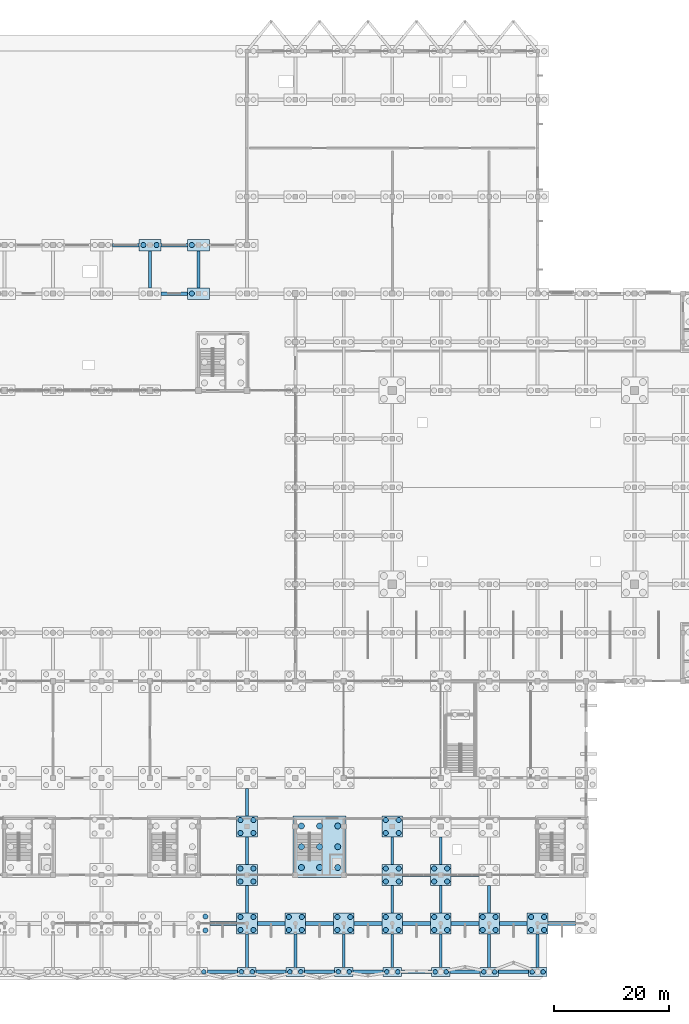
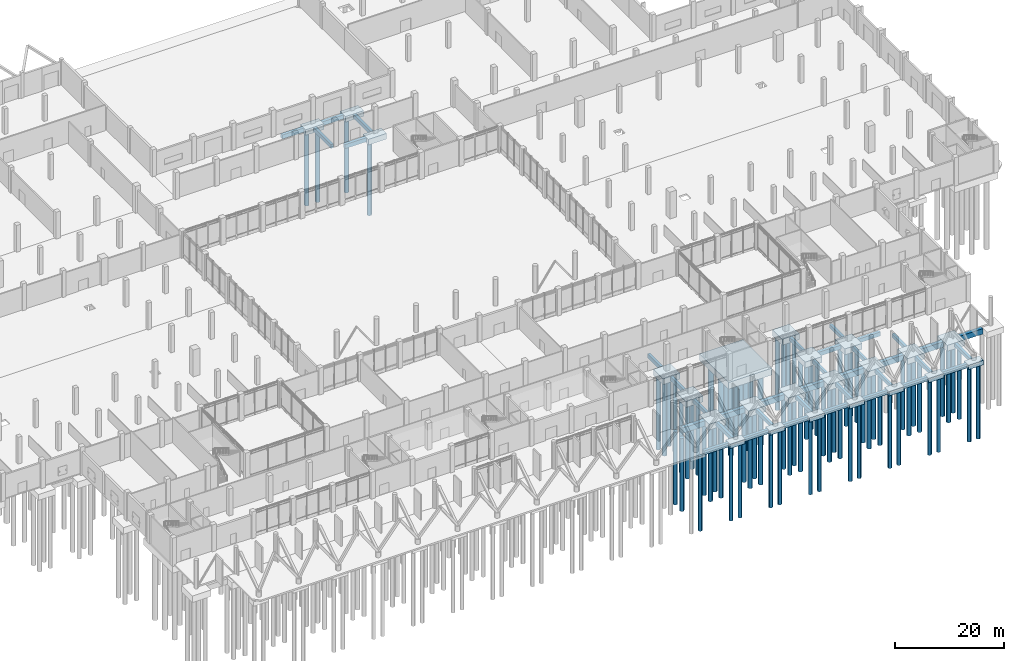
# One storey, part 7 of 72: 78 piles, 60 footings.
"""IFC4 building model written with IfcOpenShell, lengths in metres."""

from ifc_helpers import new_model, si_unit, direction, frame, origin, origin_2d, place, context, subcontext, project, spatial, rectangle, circle, extrude, material, layer, layer_set, material_profile, profile_set, type_object, element, save


model = new_model("IFC4")

# Units and contexts
model_context = context("Model", 3, precision=1e-05, world=origin(), true_north=direction((0.0, 1.0)))
body_context = subcontext(model_context, "Body", "Model", "MODEL_VIEW")
ifc_project = project(units=[si_unit("LENGTHUNIT", "METRE"), si_unit("AREAUNIT", "SQUARE_METRE"), si_unit("VOLUMEUNIT", "CUBIC_METRE"), si_unit("PLANEANGLEUNIT", "RADIAN"), si_unit("MASSUNIT", "GRAM", prefix="KILO")], contexts=[model_context])

# Site, building, storey
site_placement = place(None, origin())
site = spatial("IfcSite", under=ifc_project, at=site_placement, CompositionType="ELEMENT")
building_placement = place(site_placement, origin())
building = spatial("IfcBuilding", under=site, at=building_placement, Name="Qawsi Khor Wholesale Market", CompositionType="ELEMENT")
storey_placement = place(building_placement, origin())
storey = spatial("IfcBuildingStorey", under=building, at=storey_placement, Name="L00", CompositionType="ELEMENT", Elevation=0.0)

# Piles
ifc_material = material(Name="Concrete C45/55", Category="concrete")
ifc_material_profile_1 = material_profile(ifc_material, circle(Radius=0.52490234375, at=origin_2d()), Name="PILE D1050")
ifc_profile_set_1 = profile_set([ifc_material_profile_1], Name="Concrete C45/55")
pile_type_1 = type_object("IfcPileType", Name="Bored Pile D1050 C45/55", PredefinedType="BORED", material=ifc_profile_set_1)
for number, where, z_axis, x_axis, name in (
    (1, (143.85009765625, 9.699951171875, -1.800048828125), (0.0, 0.0, -1.0), (1.0, 0.0, 0.0), "Core bored pile C05-01"),
    (2, (143.85009765625, 13.300048828125, -1.800048828125), (0.0, 0.0, -1.0), (1.0, 0.0, 0.0), "Core bored pile C05-02"),
    (3, (143.85009765625, 16.89990234375, -1.800048828125), (0.0, 0.0, -1.0), (1.0, 0.0, 0.0), "Core bored pile C05-03"),
    (4, (147.0, 9.699951171875, -1.800048828125), (0.0, 0.0, -1.0), (1.0, 0.0, 0.0), "Core bored pile C05-04"),
    (5, (147.0, 13.300048828125, -1.800048828125), (0.0, 0.0, -1.0), (1.0, 0.0, 0.0), "Core bored pile C05-05"),
    (6, (147.0, 16.89990234375, -1.800048828125), (0.0, 0.0, -1.0), (1.0, 0.0, 0.0), "Core bored pile C05-06"),
    (7, (150.14990234375, 9.699951171875, -1.800048828125), (0.0, 0.0, -1.0), (1.0, 0.0, 0.0), "Core bored pile C05-07"),
    (8, (150.14990234375, 13.300048828125, -1.800048828125), (0.0, 0.0, -1.0), (1.0, 0.0, 0.0), "Core bored pile C05-08"),
    (9, (150.14990234375, 16.89990234375, -1.800048828125), (0.0, 0.0, -1.0), (1.0, 0.0, 0.0), "Core bored pile C05-09"),
):
    element("IfcPile", number, at=place(storey_placement, frame(where, z_axis=z_axis, x_axis=x_axis)), inside=storey, type_object=pile_type_1, Name=name, PredefinedType="BORED", context=body_context, shape_type="SweptSolid", body=[
        extrude(circle(Radius=0.52490234375, at=origin_2d()), origin(), (0.0, 0.0, 1.0), 16.199951171875),
    ])
ifc_material_profile_2 = material_profile(ifc_material, circle(Radius=0.39990234375, at=origin_2d()), Name="PILE D800")
ifc_profile_set_2 = profile_set([ifc_material_profile_2], Name="Concrete C45/55")
pile_type_2 = type_object("IfcPileType", Name="Bored Pile D800 C45/55", PredefinedType="BORED", material=ifc_profile_set_2)
for number, where, z_axis, x_axis, name in (
    (10, (126.949951171875, -8.39990234375, -1.2900390625), (0.0, 0.0, -1.0), (1.0, 0.0, 0.0), "Canopy pile 15_-01-2"),
    (11, (133.449951171875, -8.39990234375, -1.2900390625), (0.0, 0.0, -1.0), (1.0, 0.0, 0.0), "Canopy pile 16_-01-1"),
    (12, (135.35009765625, -8.39990234375, -1.2900390625), (0.0, 0.0, -1.0), (1.0, 0.0, 0.0), "Canopy pile 16_-01-2"),
    (13, (141.85009765625, -8.39990234375, -1.2900390625), (0.0, 0.0, -1.0), (1.0, 0.0, 0.0), "Canopy pile 17_-01-1"),
    (14, (143.75, -8.39990234375, -1.2900390625), (0.0, 0.0, -1.0), (1.0, 0.0, 0.0), "Canopy pile 17_-01-2"),
    (15, (150.25, -8.39990234375, -1.2900390625), (0.0, 0.0, -1.0), (1.0, 0.0, 0.0), "Canopy pile 18_-01-1"),
    (16, (152.14990234375, -8.39990234375, -1.2900390625), (0.0, 0.0, -1.0), (1.0, 0.0, 0.0), "Canopy pile 18_-01-2"),
    (17, (158.64990234375, -8.39990234375, -1.2900390625), (0.0, 0.0, -1.0), (1.0, 0.0, 0.0), "Canopy pile 19_-01-1"),
    (18, (160.550048828125, -8.39990234375, -1.2900390625), (0.0, 0.0, -1.0), (1.0, 0.0, 0.0), "Canopy pile 19_-01-2"),
    (19, (167.050048828125, -8.39990234375, -1.2900390625), (0.0, 0.0, -1.0), (1.0, 0.0, 0.0), "Canopy pile 20_-01-1"),
    (20, (168.949951171875, -8.39990234375, -1.2900390625), (0.0, 0.0, -1.0), (1.0, 0.0, 0.0), "Canopy pile 20_-01-2"),
    (21, (175.449951171875, -8.39990234375, -1.2900390625), (0.0, 0.0, -1.0), (1.0, 0.0, 0.0), "Canopy pile 21_-01-1"),
    (22, (177.35009765625, -8.39990234375, -1.2900390625), (0.0, 0.0, -1.0), (1.0, 0.0, 0.0), "Canopy pile 21_-01-2"),
    (23, (183.85009765625, -8.39990234375, -1.2900390625), (0.0, 0.0, -1.0), (1.0, 0.0, 0.0), "Canopy pile 22_-01-1"),
    (24, (185.75, -8.39990234375, -1.2900390625), (0.0, 0.0, -1.0), (1.0, 0.0, 0.0), "Canopy pile 22_-01-2"),
):
    element("IfcPile", number, at=place(storey_placement, frame(where, z_axis=z_axis, x_axis=x_axis)), inside=storey, type_object=pile_type_2, Name=name, PredefinedType="BORED", context=body_context, shape_type="SweptSolid", body=[
        extrude(circle(Radius=0.39990234375, at=origin_2d()), origin(), (0.0, 0.0, 1.0), 16.7099609375),
    ])
ifc_material_profile_3 = material_profile(ifc_material, circle(Radius=0.449951171875, at=origin_2d()), Name="PILE D900")
ifc_profile_set_3 = profile_set([ifc_material_profile_3], Name="Concrete C45/55")
pile_type_3 = type_object("IfcPileType", Name="Bored Pile D900 C45/55", PredefinedType="BORED", material=ifc_profile_set_3)
for number, where, z_axis, x_axis, name in (
    (25, (116.449951171875, 117.60009765625, -1.5), (0.0, 0.0, -1.0), (1.0, 0.0, 0.0), "Bored pile 14_+14-1"),
    (26, (118.75, 117.60009765625, -1.5), (0.0, 0.0, -1.0), (1.0, 0.0, 0.0), "Bored pile 14_+14-2"),
):
    element("IfcPile", number, at=place(storey_placement, frame(where, z_axis=z_axis, x_axis=x_axis)), inside=storey, type_object=pile_type_3, Name=name, PredefinedType="BORED", context=body_context, shape_type="SweptSolid", body=[
        extrude(circle(Radius=0.449951171875, at=origin_2d()), origin(), (0.0, 0.0, 1.0), 16.5),
    ])
for number, where, z_axis, x_axis, name in (
    (27, (127.199951171875, -1.199951171875, -1.72998046875), (0.0, 0.0, -1.0), (1.0, 0.0, 0.0), "Bored pile 15_+00-2"),
    (28, (127.199951171875, 1.199951171875, -1.72998046875), (0.0, 0.0, -1.0), (1.0, 0.0, 0.0), "Bored pile 15_+00-4"),
):
    element("IfcPile", number, at=place(storey_placement, frame(where, z_axis=z_axis, x_axis=x_axis)), inside=storey, type_object=pile_type_3, Name=name, PredefinedType="BORED", context=body_context, shape_type="SweptSolid", body=[
        extrude(circle(Radius=0.449951171875, at=origin_2d()), origin(), (0.0, 0.0, 1.0), 16.27001953125),
    ])
for number, where, z_axis, x_axis, name in (
    (29, (124.85009765625, 109.199951171875, -1.5), (0.0, 0.0, -1.0), (1.0, 0.0, 0.0), "Bored pile 15_+13-1"),
    (30, (124.85009765625, 117.60009765625, -1.5), (0.0, 0.0, -1.0), (1.0, 0.0, 0.0), "Bored pile 15_+14-1"),
):
    element("IfcPile", number, at=place(storey_placement, frame(where, z_axis=z_axis, x_axis=x_axis)), inside=storey, type_object=pile_type_3, Name=name, PredefinedType="BORED", context=body_context, shape_type="SweptSolid", body=[
        extrude(circle(Radius=0.449951171875, at=origin_2d()), origin(), (0.0, 0.0, 1.0), 16.5),
    ])
for number, where, z_axis, x_axis, name in (
    (31, (133.27490234375, -1.125, -1.610107421875), (0.0, 0.0, -1.0), (1.0, 0.0, 0.0), "Bored pile 16_+00-1"),
    (32, (135.52490234375, -1.125, -1.610107421875), (0.0, 0.0, -1.0), (1.0, 0.0, 0.0), "Bored pile 16_+00-2"),
    (33, (133.27490234375, 1.125, -1.610107421875), (0.0, 0.0, -1.0), (1.0, 0.0, 0.0), "Bored pile 16_+00-3"),
    (34, (135.52490234375, 1.125, -1.610107421875), (0.0, 0.0, -1.0), (1.0, 0.0, 0.0), "Bored pile 16_+00-4"),
    (35, (133.27490234375, 7.27490234375, -1.610107421875), (0.0, 0.0, -1.0), (1.0, 0.0, 0.0), "Bored pile 16_+01-1"),
    (36, (135.52490234375, 7.27490234375, -1.610107421875), (0.0, 0.0, -1.0), (1.0, 0.0, 0.0), "Bored pile 16_+01-2"),
    (37, (133.27490234375, 9.52490234375, -1.610107421875), (0.0, 0.0, -1.0), (1.0, 0.0, 0.0), "Bored pile 16_+01-3"),
    (38, (135.52490234375, 9.52490234375, -1.610107421875), (0.0, 0.0, -1.0), (1.0, 0.0, 0.0), "Bored pile 16_+01-4"),
    (39, (133.27490234375, 15.675048828125, -1.610107421875), (0.0, 0.0, -1.0), (1.0, 0.0, 0.0), "Bored pile 16_+02-1"),
    (40, (135.52490234375, 15.675048828125, -1.610107421875), (0.0, 0.0, -1.0), (1.0, 0.0, 0.0), "Bored pile 16_+02-2"),
    (41, (133.27490234375, 17.925048828125, -1.610107421875), (0.0, 0.0, -1.0), (1.0, 0.0, 0.0), "Bored pile 16_+02-3"),
    (42, (135.52490234375, 17.925048828125, -1.610107421875), (0.0, 0.0, -1.0), (1.0, 0.0, 0.0), "Bored pile 16_+02-4"),
    (43, (141.675048828125, -1.125, -1.610107421875), (0.0, 0.0, -1.0), (1.0, 0.0, 0.0), "Bored pile 17_+00-1"),
    (44, (143.925048828125, -1.125, -1.610107421875), (0.0, 0.0, -1.0), (1.0, 0.0, 0.0), "Bored pile 17_+00-2"),
    (45, (141.675048828125, 1.125, -1.610107421875), (0.0, 0.0, -1.0), (1.0, 0.0, 0.0), "Bored pile 17_+00-3"),
    (46, (143.925048828125, 1.125, -1.610107421875), (0.0, 0.0, -1.0), (1.0, 0.0, 0.0), "Bored pile 17_+00-4"),
    (47, (150.074951171875, -1.125, -1.610107421875), (0.0, 0.0, -1.0), (1.0, 0.0, 0.0), "Bored pile 18_+00-1"),
    (48, (152.324951171875, -1.125, -1.610107421875), (0.0, 0.0, -1.0), (1.0, 0.0, 0.0), "Bored pile 18_+00-2"),
    (49, (150.074951171875, 1.125, -1.610107421875), (0.0, 0.0, -1.0), (1.0, 0.0, 0.0), "Bored pile 18_+00-3"),
    (50, (152.324951171875, 1.125, -1.610107421875), (0.0, 0.0, -1.0), (1.0, 0.0, 0.0), "Bored pile 18_+00-4"),
    (51, (158.47509765625, -1.125, -1.610107421875), (0.0, 0.0, -1.0), (1.0, 0.0, 0.0), "Bored pile 19_+00-1"),
    (52, (160.72509765625, -1.125, -1.610107421875), (0.0, 0.0, -1.0), (1.0, 0.0, 0.0), "Bored pile 19_+00-2"),
    (53, (158.47509765625, 1.125, -1.610107421875), (0.0, 0.0, -1.0), (1.0, 0.0, 0.0), "Bored pile 19_+00-3"),
    (54, (160.72509765625, 1.125, -1.610107421875), (0.0, 0.0, -1.0), (1.0, 0.0, 0.0), "Bored pile 19_+00-4"),
    (55, (158.47509765625, 7.27490234375, -1.610107421875), (0.0, 0.0, -1.0), (1.0, 0.0, 0.0), "Bored pile 19_+01-1"),
    (56, (160.72509765625, 7.27490234375, -1.610107421875), (0.0, 0.0, -1.0), (1.0, 0.0, 0.0), "Bored pile 19_+01-2"),
    (57, (158.47509765625, 9.52490234375, -1.610107421875), (0.0, 0.0, -1.0), (1.0, 0.0, 0.0), "Bored pile 19_+01-3"),
    (58, (160.72509765625, 9.52490234375, -1.610107421875), (0.0, 0.0, -1.0), (1.0, 0.0, 0.0), "Bored pile 19_+01-4"),
    (59, (158.47509765625, 15.675048828125, -1.610107421875), (0.0, 0.0, -1.0), (1.0, 0.0, 0.0), "Bored pile 19_+02-1"),
    (60, (160.72509765625, 15.675048828125, -1.610107421875), (0.0, 0.0, -1.0), (1.0, 0.0, 0.0), "Bored pile 19_+02-2"),
    (61, (158.47509765625, 17.925048828125, -1.610107421875), (0.0, 0.0, -1.0), (1.0, 0.0, 0.0), "Bored pile 19_+02-3"),
    (62, (160.72509765625, 17.925048828125, -1.610107421875), (0.0, 0.0, -1.0), (1.0, 0.0, 0.0), "Bored pile 19_+02-4"),
    (63, (166.875, -1.125, -1.610107421875), (0.0, 0.0, -1.0), (1.0, 0.0, 0.0), "Bored pile 20_+00-1"),
    (64, (169.125, -1.125, -1.610107421875), (0.0, 0.0, -1.0), (1.0, 0.0, 0.0), "Bored pile 20_+00-2"),
    (65, (166.875, 1.125, -1.610107421875), (0.0, 0.0, -1.0), (1.0, 0.0, 0.0), "Bored pile 20_+00-3"),
    (66, (169.125, 1.125, -1.610107421875), (0.0, 0.0, -1.0), (1.0, 0.0, 0.0), "Bored pile 20_+00-4"),
    (67, (166.875, 7.27490234375, -1.610107421875), (0.0, 0.0, -1.0), (1.0, 0.0, 0.0), "Bored pile 20_+01-1"),
    (68, (169.125, 7.27490234375, -1.610107421875), (0.0, 0.0, -1.0), (1.0, 0.0, 0.0), "Bored pile 20_+01-2"),
    (69, (166.875, 9.52490234375, -1.610107421875), (0.0, 0.0, -1.0), (1.0, 0.0, 0.0), "Bored pile 20_+01-3"),
    (70, (169.125, 9.52490234375, -1.610107421875), (0.0, 0.0, -1.0), (1.0, 0.0, 0.0), "Bored pile 20_+01-4"),
    (71, (175.27490234375, -1.125, -1.610107421875), (0.0, 0.0, -1.0), (1.0, 0.0, 0.0), "Bored pile 21_+00-1"),
    (72, (177.52490234375, -1.125, -1.610107421875), (0.0, 0.0, -1.0), (1.0, 0.0, 0.0), "Bored pile 21_+00-2"),
    (73, (175.27490234375, 1.125, -1.610107421875), (0.0, 0.0, -1.0), (1.0, 0.0, 0.0), "Bored pile 21_+00-3"),
    (74, (177.52490234375, 1.125, -1.610107421875), (0.0, 0.0, -1.0), (1.0, 0.0, 0.0), "Bored pile 21_+00-4"),
    (75, (183.675048828125, -1.125, -1.610107421875), (0.0, 0.0, -1.0), (1.0, 0.0, 0.0), "Bored pile 22_+00-1"),
    (76, (185.925048828125, -1.125, -1.610107421875), (0.0, 0.0, -1.0), (1.0, 0.0, 0.0), "Bored pile 22_+00-2"),
    (77, (183.675048828125, 1.125, -1.610107421875), (0.0, 0.0, -1.0), (1.0, 0.0, 0.0), "Bored pile 22_+00-3"),
    (78, (185.925048828125, 1.125, -1.610107421875), (0.0, 0.0, -1.0), (1.0, 0.0, 0.0), "Bored pile 22_+00-4"),
):
    element("IfcPile", number, at=place(storey_placement, frame(where, z_axis=z_axis, x_axis=x_axis)), inside=storey, type_object=pile_type_3, Name=name, PredefinedType="BORED", context=body_context, shape_type="SweptSolid", body=[
        extrude(circle(Radius=0.449951171875, at=origin_2d()), origin(), (0.0, 0.0, 1.0), 16.389892578125),
    ])

# Footings
ifc_material_profile_4 = material_profile(ifc_material, rectangle(XDim=0.75, YDim=1.199951171875, at=origin_2d()), Name="RC 750x1200")
ifc_profile_set_4 = profile_set([ifc_material_profile_4], Name="Concrete C45/55")
footing_type_1 = type_object("IfcFootingType", Name="Boulevard Strip Footing SF 750x1200", PredefinedType="STRIP_FOOTING", material=ifc_profile_set_4)
footing_1_placement = place(storey_placement, frame((127.97509765625, 0.0, -0.989990234375), z_axis=(1.0, 0.0, 0.0), x_axis=(0.0, 1.0, 0.0)))
element("IfcFooting", 79, at=footing_1_placement, inside=storey, type_object=footing_type_1, Name="Ground tie-beam X 15-16 at Y=0.0", PredefinedType="STRIP_FOOTING", context=body_context, shape_type="SweptSolid", body=[
    extrude(rectangle(XDim=0.75, YDim=1.199951171875, at=origin_2d()), origin(), (0.0, 0.0, 1.0), 4.625),
])
footing_2_placement = place(storey_placement, frame((136.199951171875, 0.0, -0.989990234375), z_axis=(1.0, 0.0, 0.0), x_axis=(0.0, 1.0, 0.0)))
element("IfcFooting", 80, at=footing_2_placement, inside=storey, type_object=footing_type_1, Name="Ground tie-beam X 16-17 at Y=0.0", PredefinedType="STRIP_FOOTING", context=body_context, shape_type="SweptSolid", body=[
    extrude(rectangle(XDim=0.75, YDim=1.199951171875, at=origin_2d()), origin(), (0.0, 0.0, 1.0), 4.800048828125),
])
footing_3_placement = place(storey_placement, frame((144.60009765625, 0.0, -0.989990234375), z_axis=(1.0, 0.0, 0.0), x_axis=(0.0, 1.0, 0.0)))
element("IfcFooting", 81, at=footing_3_placement, inside=storey, type_object=footing_type_1, Name="Ground tie-beam X 17-18 at Y=0.0", PredefinedType="STRIP_FOOTING", context=body_context, shape_type="SweptSolid", body=[
    extrude(rectangle(XDim=0.75, YDim=1.199951171875, at=origin_2d()), origin(), (0.0, 0.0, 1.0), 4.7998046875),
])
for number, where, z_axis, x_axis, name in (
    (82, (153.0, 0.0, -0.989990234375), (1.0, 0.0, 0.0), (0.0, 1.0, 0.0), "Ground tie-beam X 18-19 at Y=0.0"),
    (83, (161.39990234375, 0.0, -0.989990234375), (1.0, 0.0, 0.0), (0.0, 1.0, 0.0), "Ground tie-beam X 19-20 at Y=0.0"),
    (84, (169.800048828125, 0.0, -0.989990234375), (1.0, 0.0, 0.0), (0.0, 1.0, 0.0), "Ground tie-beam X 20-21 at Y=0.0"),
    (85, (178.199951171875, 0.0, -0.989990234375), (1.0, 0.0, 0.0), (0.0, 1.0, 0.0), "Ground tie-beam X 21-22 at Y=0.0"),
):
    element("IfcFooting", number, at=place(storey_placement, frame(where, z_axis=z_axis, x_axis=x_axis)), inside=storey, type_object=footing_type_1, Name=name, PredefinedType="STRIP_FOOTING", context=body_context, shape_type="SweptSolid", body=[
        extrude(rectangle(XDim=0.75, YDim=1.199951171875, at=origin_2d()), origin(), (0.0, 0.0, 1.0), 4.800048828125),
    ])
footing_4_placement = place(storey_placement, frame((186.60009765625, 0.0, -0.989990234375), z_axis=(1.0, 0.0, 0.0), x_axis=(0.0, 1.0, 0.0)))
element("IfcFooting", 86, at=footing_4_placement, inside=storey, type_object=footing_type_1, Name="Ground tie-beam X 22-23 at Y=0.0", PredefinedType="STRIP_FOOTING", context=body_context, shape_type="SweptSolid", body=[
    extrude(rectangle(XDim=0.75, YDim=1.199951171875, at=origin_2d()), origin(), (0.0, 0.0, 1.0), 4.7998046875),
])
ifc_layer_1 = layer(ifc_material, 1.52001953125, Name="Concrete C45/55")
ifc_layer_set_1 = layer_set([ifc_layer_1], Name="Concrete C45/55")
footing_type_2 = type_object("IfcFootingType", Name="Core Pile Raft CR-9P 9200x10600x1520", PredefinedType="PILE_CAP", material=ifc_layer_set_1)
footing_5_placement = place(storey_placement, frame((147.0, 13.300048828125, -1.880126953125), z_axis=(0.0, 0.0, 1.0), x_axis=(1.0, 0.0, 0.0)))
element("IfcFooting", 87, at=footing_5_placement, inside=storey, type_object=footing_type_2, Name="Core pile raft C05", PredefinedType="PILE_CAP", context=body_context, shape_type="SweptSolid", body=[
    extrude(rectangle(XDim=9.199951171875, YDim=10.60009765625, at=origin_2d()), origin(), (0.0, 0.0, 1.0), 1.52001953125),
])
ifc_material_profile_5 = material_profile(ifc_material, rectangle(XDim=0.60009765625, YDim=0.89990234375, at=origin_2d()), Name="RC 600x900")
ifc_profile_set_5 = profile_set([ifc_material_profile_5], Name="Concrete C45/55")
footing_type_3 = type_object("IfcFootingType", Name="Ground Tie-Beam GTB 600x900", PredefinedType="FOOTING_BEAM", material=ifc_profile_set_5)
for number, where, z_axis, x_axis, name in (
    (88, (111.125, 117.60009765625, -0.840087890625), (1.0, 0.0, 0.0), (0.0, 1.0, 0.0), "Ground tie-beam X 13-14 at Y=117.6"),
    (89, (119.52490234375, 109.199951171875, -0.840087890625), (1.0, 0.0, 0.0), (0.0, 1.0, 0.0), "Ground tie-beam X 14-15 at Y=109.2"),
    (90, (119.52490234375, 117.60009765625, -0.840087890625), (1.0, 0.0, 0.0), (0.0, 1.0, 0.0), "Ground tie-beam X 14-15 at Y=117.6"),
):
    element("IfcFooting", number, at=place(storey_placement, frame(where, z_axis=z_axis, x_axis=x_axis)), inside=storey, type_object=footing_type_3, Name=name, PredefinedType="FOOTING_BEAM", context=body_context, shape_type="SweptSolid", body=[
        extrude(rectangle(XDim=0.60009765625, YDim=0.89990234375, at=origin_2d()), origin(), (0.0, 0.0, 1.0), 4.550048828125),
    ])
for number, where, z_axis, x_axis, name in (
    (91, (127.60009765625, -8.39990234375, -0.840087890625), (1.0, 0.0, 0.0), (0.0, 1.0, 0.0), "Ground tie-beam X 15-16 at Y=-8.4"),
    (92, (136.0, -8.39990234375, -0.840087890625), (1.0, 0.0, 0.0), (0.0, 1.0, 0.0), "Ground tie-beam X 16-17 at Y=-8.4"),
):
    element("IfcFooting", number, at=place(storey_placement, frame(where, z_axis=z_axis, x_axis=x_axis)), inside=storey, type_object=footing_type_3, Name=name, PredefinedType="FOOTING_BEAM", context=body_context, shape_type="SweptSolid", body=[
        extrude(rectangle(XDim=0.60009765625, YDim=0.89990234375, at=origin_2d()), origin(), (0.0, 0.0, 1.0), 5.199951171875),
    ])
footing_6_placement = place(storey_placement, frame((144.39990234375, -8.39990234375, -0.840087890625), z_axis=(1.0, 0.0, 0.0), x_axis=(0.0, 1.0, 0.0)))
element("IfcFooting", 93, at=footing_6_placement, inside=storey, type_object=footing_type_3, Name="Ground tie-beam X 17-18 at Y=-8.4", PredefinedType="FOOTING_BEAM", context=body_context, shape_type="SweptSolid", body=[
    extrude(rectangle(XDim=0.60009765625, YDim=0.89990234375, at=origin_2d()), origin(), (0.0, 0.0, 1.0), 5.2001953125),
])
for number, where, z_axis, x_axis, name in (
    (94, (152.800048828125, -8.39990234375, -0.840087890625), (1.0, 0.0, 0.0), (0.0, 1.0, 0.0), "Ground tie-beam X 18-19 at Y=-8.4"),
    (95, (161.199951171875, -8.39990234375, -0.840087890625), (1.0, 0.0, 0.0), (0.0, 1.0, 0.0), "Ground tie-beam X 19-20 at Y=-8.4"),
):
    element("IfcFooting", number, at=place(storey_placement, frame(where, z_axis=z_axis, x_axis=x_axis)), inside=storey, type_object=footing_type_3, Name=name, PredefinedType="FOOTING_BEAM", context=body_context, shape_type="SweptSolid", body=[
        extrude(rectangle(XDim=0.60009765625, YDim=0.89990234375, at=origin_2d()), origin(), (0.0, 0.0, 1.0), 5.199951171875),
    ])
footing_7_placement = place(storey_placement, frame((161.39990234375, 8.39990234375, -0.840087890625), z_axis=(1.0, 0.0, 0.0), x_axis=(0.0, 1.0, 0.0)))
element("IfcFooting", 96, at=footing_7_placement, inside=storey, type_object=footing_type_3, Name="Ground tie-beam X 19-20 at Y=8.4", PredefinedType="FOOTING_BEAM", context=body_context, shape_type="SweptSolid", body=[
    extrude(rectangle(XDim=0.60009765625, YDim=0.89990234375, at=origin_2d()), origin(), (0.0, 0.0, 1.0), 4.800048828125),
])
footing_8_placement = place(storey_placement, frame((169.60009765625, -8.39990234375, -0.840087890625), z_axis=(1.0, 0.0, 0.0), x_axis=(0.0, 1.0, 0.0)))
element("IfcFooting", 97, at=footing_8_placement, inside=storey, type_object=footing_type_3, Name="Ground tie-beam X 20-21 at Y=-8.4", PredefinedType="FOOTING_BEAM", context=body_context, shape_type="SweptSolid", body=[
    extrude(rectangle(XDim=0.60009765625, YDim=0.89990234375, at=origin_2d()), origin(), (0.0, 0.0, 1.0), 5.199951171875),
])
footing_9_placement = place(storey_placement, frame((169.800048828125, 8.39990234375, -0.840087890625), z_axis=(1.0, 0.0, 0.0), x_axis=(0.0, 1.0, 0.0)))
element("IfcFooting", 98, at=footing_9_placement, inside=storey, type_object=footing_type_3, Name="Ground tie-beam X 20-21 at Y=8.4", PredefinedType="FOOTING_BEAM", context=body_context, shape_type="SweptSolid", body=[
    extrude(rectangle(XDim=0.60009765625, YDim=0.89990234375, at=origin_2d()), origin(), (0.0, 0.0, 1.0), 4.800048828125),
])
footing_10_placement = place(storey_placement, frame((178.0, -8.39990234375, -0.840087890625), z_axis=(1.0, 0.0, 0.0), x_axis=(0.0, 1.0, 0.0)))
element("IfcFooting", 99, at=footing_10_placement, inside=storey, type_object=footing_type_3, Name="Ground tie-beam X 21-22 at Y=-8.4", PredefinedType="FOOTING_BEAM", context=body_context, shape_type="SweptSolid", body=[
    extrude(rectangle(XDim=0.60009765625, YDim=0.89990234375, at=origin_2d()), origin(), (0.0, 0.0, 1.0), 5.199951171875),
])
ifc_material_profile_6 = material_profile(ifc_material, rectangle(XDim=0.5, YDim=0.800048828125, at=origin_2d()), Name="RC 500x800")
ifc_profile_set_6 = profile_set([ifc_material_profile_6], Name="Concrete C45/55")
footing_type_4 = type_object("IfcFootingType", Name="Hall Tie-Beam GTB 500x800", PredefinedType="FOOTING_BEAM", material=ifc_profile_set_6)
for number, where, z_axis, x_axis, name in (
    (100, (151.199951171875, -7.60009765625, -0.7900390625), (0.0, 1.0, 0.0), (-1.0, 0.0, 0.0), "Ground tie-beam Y -1-0 at X=151.2"),
    (101, (159.60009765625, -7.60009765625, -0.7900390625), (0.0, 1.0, 0.0), (-1.0, 0.0, 0.0), "Ground tie-beam Y -1-0 at X=159.6"),
):
    element("IfcFooting", number, at=place(storey_placement, frame(where, z_axis=z_axis, x_axis=x_axis)), inside=storey, type_object=footing_type_4, Name=name, PredefinedType="FOOTING_BEAM", context=body_context, shape_type="SweptSolid", body=[
        extrude(rectangle(XDim=0.5, YDim=0.800048828125, at=origin_2d()), origin(), (0.0, 0.0, 1.0), 5.800048828125),
    ])
for number, where, z_axis, x_axis, name in (
    (102, (159.60009765625, 1.800048828125, -0.7900390625), (0.0, 1.0, 0.0), (-1.0, 0.0, 0.0), "Ground tie-beam Y 0-1 at X=159.6"),
    (103, (159.60009765625, 10.199951171875, -0.7900390625), (0.0, 1.0, 0.0), (-1.0, 0.0, 0.0), "Ground tie-beam Y 1-2 at X=159.6"),
):
    element("IfcFooting", number, at=place(storey_placement, frame(where, z_axis=z_axis, x_axis=x_axis)), inside=storey, type_object=footing_type_4, Name=name, PredefinedType="FOOTING_BEAM", context=body_context, shape_type="SweptSolid", body=[
        extrude(rectangle(XDim=0.5, YDim=0.800048828125, at=origin_2d()), origin(), (0.0, 0.0, 1.0), 4.800048828125),
    ])
footing_11_placement = place(storey_placement, frame((168.0, -7.60009765625, -0.7900390625), z_axis=(0.0, 1.0, 0.0), x_axis=(-1.0, 0.0, 0.0)))
element("IfcFooting", 104, at=footing_11_placement, inside=storey, type_object=footing_type_4, Name="Ground tie-beam Y -1-0 at X=168.0", PredefinedType="FOOTING_BEAM", context=body_context, shape_type="SweptSolid", body=[
    extrude(rectangle(XDim=0.5, YDim=0.800048828125, at=origin_2d()), origin(), (0.0, 0.0, 1.0), 5.800048828125),
])
for number, where, z_axis, x_axis, name in (
    (105, (168.0, 1.800048828125, -0.7900390625), (0.0, 1.0, 0.0), (-1.0, 0.0, 0.0), "Ground tie-beam Y 0-1 at X=168.0"),
    (106, (168.0, 10.199951171875, -0.7900390625), (0.0, 1.0, 0.0), (-1.0, 0.0, 0.0), "Ground tie-beam Y 1-2 at X=168.0"),
):
    element("IfcFooting", number, at=place(storey_placement, frame(where, z_axis=z_axis, x_axis=x_axis)), inside=storey, type_object=footing_type_4, Name=name, PredefinedType="FOOTING_BEAM", context=body_context, shape_type="SweptSolid", body=[
        extrude(rectangle(XDim=0.5, YDim=0.800048828125, at=origin_2d()), origin(), (0.0, 0.0, 1.0), 4.800048828125),
    ])
footing_12_placement = place(storey_placement, frame((176.39990234375, -7.60009765625, -0.7900390625), z_axis=(0.0, 1.0, 0.0), x_axis=(-1.0, 0.0, 0.0)))
element("IfcFooting", 107, at=footing_12_placement, inside=storey, type_object=footing_type_4, Name="Ground tie-beam Y -1-0 at X=176.4", PredefinedType="FOOTING_BEAM", context=body_context, shape_type="SweptSolid", body=[
    extrude(rectangle(XDim=0.5, YDim=0.800048828125, at=origin_2d()), origin(), (0.0, 0.0, 1.0), 5.800048828125),
])
footing_13_placement = place(storey_placement, frame((176.39990234375, 1.800048828125, -0.7900390625), z_axis=(0.0, 1.0, 0.0), x_axis=(-1.0, 0.0, 0.0)))
element("IfcFooting", 108, at=footing_13_placement, inside=storey, type_object=footing_type_4, Name="Ground tie-beam Y 0-1 at X=176.4", PredefinedType="FOOTING_BEAM", context=body_context, shape_type="SweptSolid", body=[
    extrude(rectangle(XDim=0.5, YDim=0.800048828125, at=origin_2d()), origin(), (0.0, 0.0, 1.0), 4.800048828125),
])
footing_14_placement = place(storey_placement, frame((184.800048828125, -7.60009765625, -0.7900390625), z_axis=(0.0, 1.0, 0.0), x_axis=(-1.0, 0.0, 0.0)))
element("IfcFooting", 109, at=footing_14_placement, inside=storey, type_object=footing_type_4, Name="Ground tie-beam Y -1-0 at X=184.8", PredefinedType="FOOTING_BEAM", context=body_context, shape_type="SweptSolid", body=[
    extrude(rectangle(XDim=0.5, YDim=0.800048828125, at=origin_2d()), origin(), (0.0, 0.0, 1.0), 5.800048828125),
])
ifc_material_profile_7 = material_profile(ifc_material, rectangle(XDim=0.550048828125, YDim=0.85009765625, at=origin_2d()), Name="RC 550x850")
ifc_profile_set_7 = profile_set([ifc_material_profile_7], Name="Concrete C45/55")
footing_type_5 = type_object("IfcFootingType", Name="Internal Tie-Beam GTB 550x850", PredefinedType="FOOTING_BEAM", material=ifc_profile_set_7)
for number, where, z_axis, x_axis, name in (
    (110, (117.60009765625, 110.199951171875, -0.81494140625), (0.0, 1.0, 0.0), (-1.0, 0.0, 0.0), "Ground tie-beam Y 13-14 at X=117.6"),
    (111, (126.0, 110.199951171875, -0.81494140625), (0.0, 1.0, 0.0), (-1.0, 0.0, 0.0), "Ground tie-beam Y 13-14 at X=126.0"),
):
    element("IfcFooting", number, at=place(storey_placement, frame(where, z_axis=z_axis, x_axis=x_axis)), inside=storey, type_object=footing_type_5, Name=name, PredefinedType="FOOTING_BEAM", context=body_context, shape_type="SweptSolid", body=[
        extrude(rectangle(XDim=0.550048828125, YDim=0.85009765625, at=origin_2d()), origin(), (0.0, 0.0, 1.0), 6.400146484375),
    ])
footing_15_placement = place(storey_placement, frame((134.39990234375, -7.60009765625, -0.81494140625), z_axis=(0.0, 1.0, 0.0), x_axis=(-1.0, 0.0, 0.0)))
element("IfcFooting", 112, at=footing_15_placement, inside=storey, type_object=footing_type_5, Name="Ground tie-beam Y -1-0 at X=134.4", PredefinedType="FOOTING_BEAM", context=body_context, shape_type="SweptSolid", body=[
    extrude(rectangle(XDim=0.550048828125, YDim=0.85009765625, at=origin_2d()), origin(), (0.0, 0.0, 1.0), 5.800048828125),
])
for number, where, z_axis, x_axis, name in (
    (113, (134.39990234375, 1.800048828125, -0.81494140625), (0.0, 1.0, 0.0), (-1.0, 0.0, 0.0), "Ground tie-beam Y 0-1 at X=134.4"),
    (114, (134.39990234375, 10.199951171875, -0.81494140625), (0.0, 1.0, 0.0), (-1.0, 0.0, 0.0), "Ground tie-beam Y 1-2 at X=134.4"),
):
    element("IfcFooting", number, at=place(storey_placement, frame(where, z_axis=z_axis, x_axis=x_axis)), inside=storey, type_object=footing_type_5, Name=name, PredefinedType="FOOTING_BEAM", context=body_context, shape_type="SweptSolid", body=[
        extrude(rectangle(XDim=0.550048828125, YDim=0.85009765625, at=origin_2d()), origin(), (0.0, 0.0, 1.0), 4.800048828125),
    ])
footing_16_placement = place(storey_placement, frame((134.39990234375, 18.60009765625, -0.81494140625), z_axis=(0.0, 1.0, 0.0), x_axis=(-1.0, 0.0, 0.0)))
element("IfcFooting", 115, at=footing_16_placement, inside=storey, type_object=footing_type_5, Name="Ground tie-beam Y 2-3 at X=134.4", PredefinedType="FOOTING_BEAM", context=body_context, shape_type="SweptSolid", body=[
    extrude(rectangle(XDim=0.550048828125, YDim=0.85009765625, at=origin_2d()), origin(), (0.0, 0.0, 1.0), 4.7998046875),
])
footing_17_placement = place(storey_placement, frame((142.800048828125, -7.60009765625, -0.81494140625), z_axis=(0.0, 1.0, 0.0), x_axis=(-1.0, 0.0, 0.0)))
element("IfcFooting", 116, at=footing_17_placement, inside=storey, type_object=footing_type_5, Name="Ground tie-beam Y -1-0 at X=142.8", PredefinedType="FOOTING_BEAM", context=body_context, shape_type="SweptSolid", body=[
    extrude(rectangle(XDim=0.550048828125, YDim=0.85009765625, at=origin_2d()), origin(), (0.0, 0.0, 1.0), 5.800048828125),
])
ifc_layer_2 = layer(ifc_material, 1.0, Name="Concrete C45/55")
ifc_layer_set_2 = layer_set([ifc_layer_2], Name="Concrete C45/55")
footing_type_6 = type_object("IfcFootingType", Name="Pile Cap PC-2C 3200x1600x1000", PredefinedType="PILE_CAP", material=ifc_layer_set_2)
for number, where, z_axis, x_axis, name in (
    (117, (134.39990234375, -8.39990234375, -1.360107421875), (0.0, 0.0, 1.0), (1.0, 0.0, 0.0), "Canopy pile cap 16_-01"),
    (118, (142.800048828125, -8.39990234375, -1.360107421875), (0.0, 0.0, 1.0), (1.0, 0.0, 0.0), "Canopy pile cap 17_-01"),
    (119, (151.199951171875, -8.39990234375, -1.360107421875), (0.0, 0.0, 1.0), (1.0, 0.0, 0.0), "Canopy pile cap 18_-01"),
    (120, (159.60009765625, -8.39990234375, -1.360107421875), (0.0, 0.0, 1.0), (1.0, 0.0, 0.0), "Canopy pile cap 19_-01"),
    (121, (168.0, -8.39990234375, -1.360107421875), (0.0, 0.0, 1.0), (1.0, 0.0, 0.0), "Canopy pile cap 20_-01"),
    (122, (176.39990234375, -8.39990234375, -1.360107421875), (0.0, 0.0, 1.0), (1.0, 0.0, 0.0), "Canopy pile cap 21_-01"),
    (123, (184.800048828125, -8.39990234375, -1.360107421875), (0.0, 0.0, 1.0), (1.0, 0.0, 0.0), "Canopy pile cap 22_-01"),
):
    element("IfcFooting", number, at=place(storey_placement, frame(where, z_axis=z_axis, x_axis=x_axis)), inside=storey, type_object=footing_type_6, Name=name, PredefinedType="PILE_CAP", context=body_context, shape_type="SweptSolid", body=[
        extrude(rectangle(XDim=3.199951171875, YDim=1.60009765625, at=origin_2d()), origin(), (0.0, 0.0, 1.0), 1.0),
    ])
ifc_layer_3 = layer(ifc_material, 1.25, Name="Concrete C45/55")
ifc_layer_set_3 = layer_set([ifc_layer_3], Name="Concrete C45/55")
footing_type_7 = type_object("IfcFootingType", Name="Pile Cap PC-2H 3850x2000x1250", PredefinedType="PILE_CAP", material=ifc_layer_set_3)
for number, where, z_axis, x_axis, name in (
    (124, (117.60009765625, 117.60009765625, -1.610107421875), (0.0, 0.0, 1.0), (1.0, 0.0, 0.0), "Two-pile cap 14_+14"),
    (125, (126.0, 109.199951171875, -1.610107421875), (0.0, 0.0, 1.0), (1.0, 0.0, 0.0), "Two-pile cap 15_+13"),
    (126, (126.0, 117.60009765625, -1.610107421875), (0.0, 0.0, 1.0), (1.0, 0.0, 0.0), "Two-pile cap 15_+14"),
):
    element("IfcFooting", number, at=place(storey_placement, frame(where, z_axis=z_axis, x_axis=x_axis)), inside=storey, type_object=footing_type_7, Name=name, PredefinedType="PILE_CAP", context=body_context, shape_type="SweptSolid", body=[
        extrude(rectangle(XDim=3.85009765625, YDim=2.0, at=origin_2d()), origin(), (0.0, 0.0, 1.0), 1.25),
    ])
ifc_layer_4 = layer(ifc_material, 1.320068359375, Name="Concrete C45/55")
ifc_layer_set_4 = layer_set([ifc_layer_4], Name="Concrete C45/55")
footing_type_8 = type_object("IfcFootingType", Name="Pile Cap PC-4P 3600x3600x1320", PredefinedType="PILE_CAP", material=ifc_layer_set_4)
for number, where, z_axis, x_axis, name in (
    (127, (134.39990234375, 0.0, -1.68017578125), (0.0, 0.0, 1.0), (1.0, 0.0, 0.0), "Four-pile cap 16_+00"),
    (128, (134.39990234375, 8.39990234375, -1.68017578125), (0.0, 0.0, 1.0), (1.0, 0.0, 0.0), "Four-pile cap 16_+01"),
    (129, (134.39990234375, 16.800048828125, -1.68017578125), (0.0, 0.0, 1.0), (1.0, 0.0, 0.0), "Four-pile cap 16_+02"),
    (130, (142.800048828125, 0.0, -1.68017578125), (0.0, 0.0, 1.0), (1.0, 0.0, 0.0), "Four-pile cap 17_+00"),
    (131, (151.199951171875, 0.0, -1.68017578125), (0.0, 0.0, 1.0), (1.0, 0.0, 0.0), "Four-pile cap 18_+00"),
    (132, (159.60009765625, 0.0, -1.68017578125), (0.0, 0.0, 1.0), (1.0, 0.0, 0.0), "Four-pile cap 19_+00"),
    (133, (159.60009765625, 8.39990234375, -1.68017578125), (0.0, 0.0, 1.0), (1.0, 0.0, 0.0), "Four-pile cap 19_+01"),
    (134, (159.60009765625, 16.800048828125, -1.68017578125), (0.0, 0.0, 1.0), (1.0, 0.0, 0.0), "Four-pile cap 19_+02"),
    (135, (168.0, 0.0, -1.68017578125), (0.0, 0.0, 1.0), (1.0, 0.0, 0.0), "Four-pile cap 20_+00"),
    (136, (168.0, 8.39990234375, -1.68017578125), (0.0, 0.0, 1.0), (1.0, 0.0, 0.0), "Four-pile cap 20_+01"),
    (137, (176.39990234375, 0.0, -1.68017578125), (0.0, 0.0, 1.0), (1.0, 0.0, 0.0), "Four-pile cap 21_+00"),
    (138, (184.800048828125, 0.0, -1.68017578125), (0.0, 0.0, 1.0), (1.0, 0.0, 0.0), "Four-pile cap 22_+00"),
):
    element("IfcFooting", number, at=place(storey_placement, frame(where, z_axis=z_axis, x_axis=x_axis)), inside=storey, type_object=footing_type_8, Name=name, PredefinedType="PILE_CAP", context=body_context, shape_type="SweptSolid", body=[
        extrude(rectangle(XDim=3.60009765625, YDim=3.60009765625, at=origin_2d()), origin(), (0.0, 0.0, 1.0), 1.320068359375),
    ])

save(model, "model.ifc")
